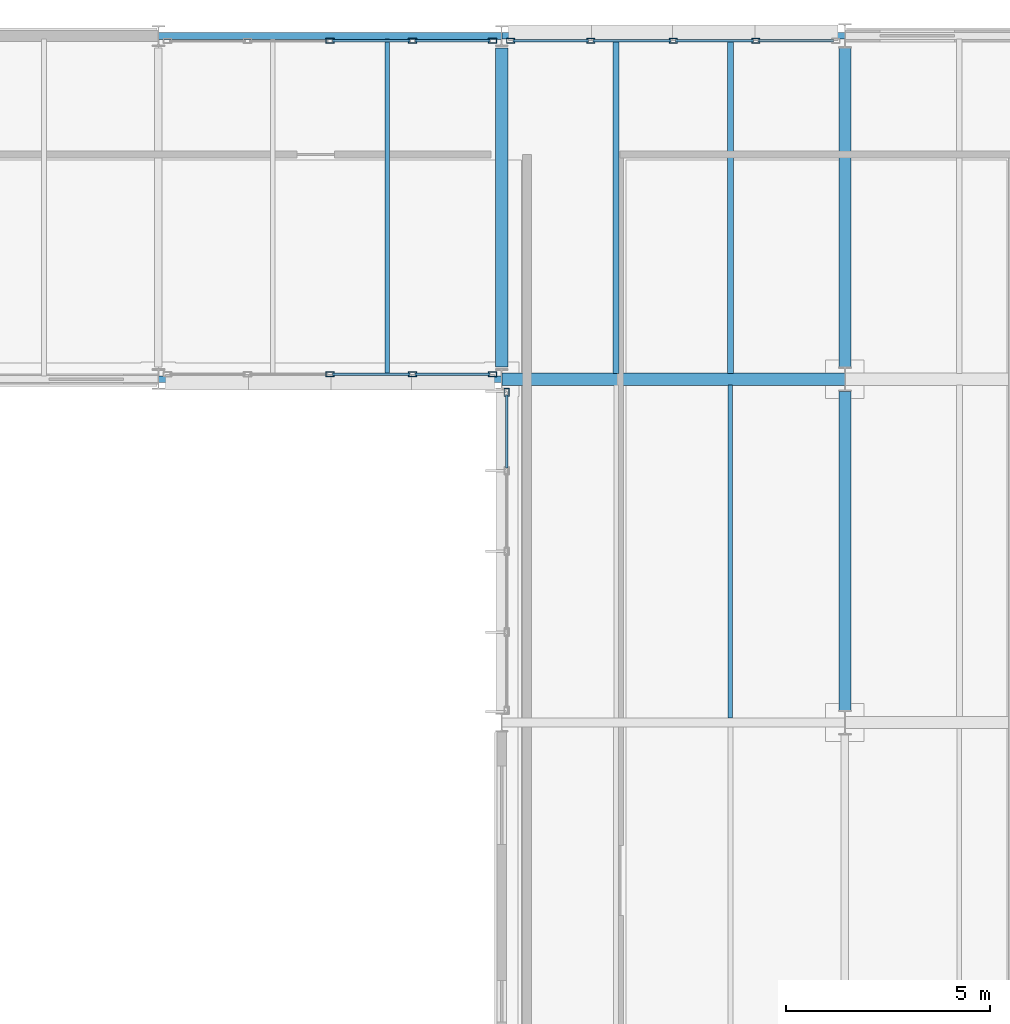
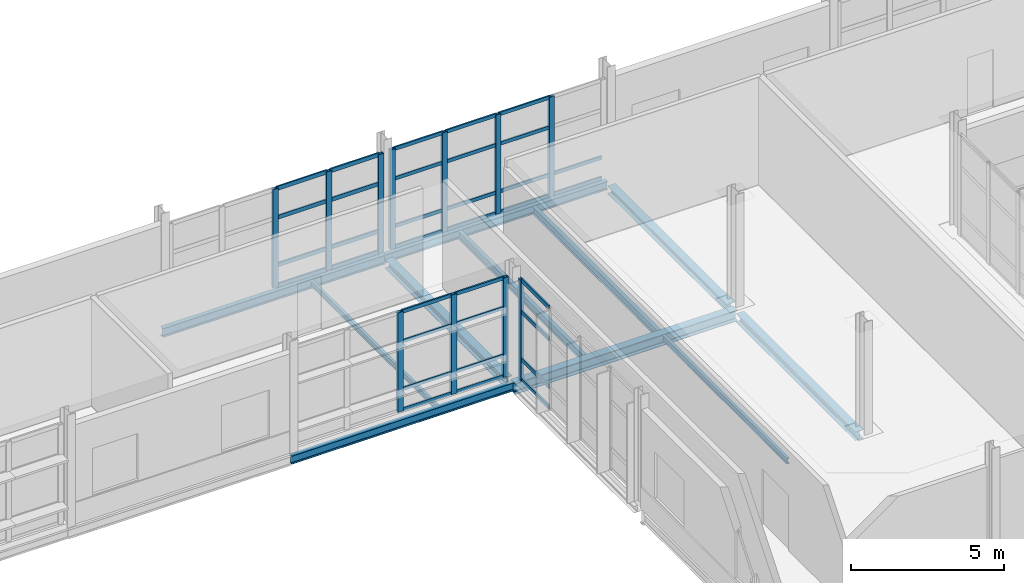
# One storey, part 56 of 129: 45 members, 11 beams, 4 elements without a shape of their own.
"""IFC4 building model written with IfcOpenShell, lengths in metres."""

from ifc_helpers import new_model, si_unit, direction, frame, origin, origin_2d, place, context, subcontext, project, spatial, hollow_rectangle, i_section, extrude, material, material_profile, profile_set, type_object, element, aggregate, save


model = new_model("IFC4")

# Units and contexts
model_context = context("Model", 3, precision=1e-05, world=origin(), true_north=direction((0.0, 1.0)))
body_context = subcontext(model_context, "Body", "Model", "MODEL_VIEW")
ifc_project = project(units=[si_unit("LENGTHUNIT", "METRE"), si_unit("AREAUNIT", "SQUARE_METRE"), si_unit("VOLUMEUNIT", "CUBIC_METRE"), si_unit("PLANEANGLEUNIT", "RADIAN"), si_unit("MASSUNIT", "GRAM", prefix="KILO")], contexts=[model_context])

# Site, building, storey
site_placement = place(None, origin())
site = spatial("IfcSite", under=ifc_project, at=site_placement, CompositionType="ELEMENT")
building_placement = place(site_placement, origin())
building = spatial("IfcBuilding", under=site, at=building_placement, Name="Mersafa Astral City Hall", CompositionType="ELEMENT")
storey_placement = place(building_placement, frame((0.0, 0.0, 5.39990234375)))
storey = spatial("IfcBuildingStorey", under=building, at=storey_placement, Name="L01", CompositionType="ELEMENT", Elevation=5.39990234375)

# Curtain wall, members
ifc_material_1 = material(Name="Anodised bronze aluminium framing", Category="aluminium")
curtain_wall_type_1 = type_object("IfcCurtainWallType", Name="ENV-CW-6", PredefinedType="USERDEFINED", material=ifc_material_1)
curtain_wall_1_placement = place(storey_placement, origin())
curtain_wall_1 = element("IfcCurtainWall", 1, at=curtain_wall_1_placement, inside=storey, type_object=curtain_wall_type_1, Name="L01 Unitised solar curtain wall 77", ObjectType="UNITISED CURTAIN WALL", PredefinedType="USERDEFINED")
ifc_material_profile_1 = material_profile(ifc_material_1, hollow_rectangle(XDim=0.1201171875, YDim=0.199951171875, WallThickness=0.008056640625, at=origin_2d()), Name="RHS 120x200x8")
ifc_profile_set_1 = profile_set([ifc_material_profile_1], Name="Anodised bronze aluminium framing")
member_type_1 = type_object("IfcMemberType", Name="ENV-CW-MUL-2", PredefinedType="MULLION", material=ifc_profile_set_1)
member_1_placement = place(storey_placement, frame((107.01904296875, 125.8798828125, -0.001953125), z_axis=(0.0, 0.0, 1.0), x_axis=(0.0, -1.0, 0.0)))
member_1 = element("IfcMember", 2, at=member_1_placement, type_object=member_type_1, Name="CW-6 mullion 2", PredefinedType="MULLION", context=body_context, shape_type="SweptSolid", body=[
    extrude(hollow_rectangle(XDim=0.1201171875, YDim=0.199951171875, WallThickness=0.008056640625, at=origin_2d()), origin(), (0.0, 0.0, 1.0), 3.968994140625),
])
member_2_placement = place(storey_placement, frame((105.0, 125.8798828125, -0.001953125), z_axis=(0.0, 0.0, 1.0), x_axis=(0.0, -1.0, 0.0)))
member_2 = element("IfcMember", 3, at=member_2_placement, type_object=member_type_1, Name="CW-6 mullion 3", PredefinedType="MULLION", context=body_context, shape_type="SweptSolid", body=[
    extrude(hollow_rectangle(XDim=0.1201171875, YDim=0.199951171875, WallThickness=0.008056640625, at=origin_2d()), origin(), (0.0, 0.0, 1.0), 3.968994140625),
])
member_3_placement = place(storey_placement, frame((102.98095703125, 125.8798828125, -0.001953125), z_axis=(0.0, 0.0, 1.0), x_axis=(0.0, -1.0, 0.0)))
member_3 = element("IfcMember", 4, at=member_3_placement, type_object=member_type_1, Name="CW-6 mullion 4", PredefinedType="MULLION", context=body_context, shape_type="SweptSolid", body=[
    extrude(hollow_rectangle(XDim=0.1201171875, YDim=0.199951171875, WallThickness=0.008056640625, at=origin_2d()), origin(), (0.0, 0.0, 1.0), 3.968994140625),
])
member_4_placement = place(storey_placement, frame((101.02197265625, 125.8798828125, -0.001953125), z_axis=(0.0, 0.0, 1.0), x_axis=(0.0, -1.0, 0.0)))
member_4 = element("IfcMember", 5, at=member_4_placement, type_object=member_type_1, Name="CW-6 mullion 5", PredefinedType="MULLION", context=body_context, shape_type="SweptSolid", body=[
    extrude(hollow_rectangle(XDim=0.1201171875, YDim=0.199951171875, WallThickness=0.008056640625, at=origin_2d()), origin(), (0.0, 0.0, 1.0), 3.968994140625),
])

curtain_wall_type_2 = type_object("IfcCurtainWallType", Name="ENV-CW-1", PredefinedType="USERDEFINED", material=ifc_material_1)
curtain_wall_2_placement = place(storey_placement, origin())
curtain_wall_2 = element("IfcCurtainWall", 6, at=curtain_wall_2_placement, inside=storey, type_object=curtain_wall_type_2, Name="L01 Unitised solar curtain wall 78", ObjectType="UNITISED CURTAIN WALL", PredefinedType="USERDEFINED")
member_5_placement = place(storey_placement, frame((100.577880859375, 125.8798828125, -0.001953125), z_axis=(0.0, 0.0, 1.0), x_axis=(0.0, -1.0, 0.0)))
member_5 = element("IfcMember", 7, at=member_5_placement, type_object=member_type_1, Name="CW-1 mullion 1", PredefinedType="MULLION", context=body_context, shape_type="SweptSolid", body=[
    extrude(hollow_rectangle(XDim=0.1201171875, YDim=0.199951171875, WallThickness=0.008056640625, at=origin_2d()), origin(), (0.0, 0.0, 1.0), 3.93896484375),
])
member_6_placement = place(storey_placement, frame((98.618896484375, 125.8798828125, -0.001953125), z_axis=(0.0, 0.0, 1.0), x_axis=(0.0, -1.0, 0.0)))
member_6 = element("IfcMember", 8, at=member_6_placement, type_object=member_type_1, Name="CW-1 mullion 2", PredefinedType="MULLION", context=body_context, shape_type="SweptSolid", body=[
    extrude(hollow_rectangle(XDim=0.1201171875, YDim=0.199951171875, WallThickness=0.008056640625, at=origin_2d()), origin(), (0.0, 0.0, 1.0), 3.93896484375),
])
member_7_placement = place(storey_placement, frame((96.60009765625, 125.8798828125, -0.001953125), z_axis=(0.0, 0.0, 1.0), x_axis=(0.0, -1.0, 0.0)))
member_7 = element("IfcMember", 9, at=member_7_placement, type_object=member_type_1, Name="CW-1 mullion 3", PredefinedType="MULLION", context=body_context, shape_type="SweptSolid", body=[
    extrude(hollow_rectangle(XDim=0.1201171875, YDim=0.199951171875, WallThickness=0.008056640625, at=origin_2d()), origin(), (0.0, 0.0, 1.0), 3.93896484375),
])

curtain_wall_3_placement = place(storey_placement, origin())
curtain_wall_3 = element("IfcCurtainWall", 10, at=curtain_wall_3_placement, inside=storey, type_object=curtain_wall_type_1, Name="L01 Unitised solar curtain wall 89", ObjectType="UNITISED CURTAIN WALL", PredefinedType="USERDEFINED")
member_8_placement = place(storey_placement, frame((96.60009765625, 117.719970703125, -0.001953125), z_axis=(0.0, 0.0, 1.0), x_axis=(0.0, 1.0, 0.0)))
member_8 = element("IfcMember", 11, at=member_8_placement, type_object=member_type_1, Name="CW-6 mullion 3", PredefinedType="MULLION", context=body_context, shape_type="SweptSolid", body=[
    extrude(hollow_rectangle(XDim=0.1201171875, YDim=0.199951171875, WallThickness=0.008056640625, at=origin_2d()), origin(), (0.0, 0.0, 1.0), 3.968994140625),
])
member_9_placement = place(storey_placement, frame((98.618896484375, 117.719970703125, -0.001953125), z_axis=(0.0, 0.0, 1.0), x_axis=(0.0, 1.0, 0.0)))
member_9 = element("IfcMember", 12, at=member_9_placement, type_object=member_type_1, Name="CW-6 mullion 4", PredefinedType="MULLION", context=body_context, shape_type="SweptSolid", body=[
    extrude(hollow_rectangle(XDim=0.1201171875, YDim=0.199951171875, WallThickness=0.008056640625, at=origin_2d()), origin(), (0.0, 0.0, 1.0), 3.968994140625),
])
member_10_placement = place(storey_placement, frame((100.577880859375, 117.719970703125, -0.001953125), z_axis=(0.0, 0.0, 1.0), x_axis=(0.0, 1.0, 0.0)))
member_10 = element("IfcMember", 13, at=member_10_placement, type_object=member_type_1, Name="CW-6 mullion 5", PredefinedType="MULLION", context=body_context, shape_type="SweptSolid", body=[
    extrude(hollow_rectangle(XDim=0.1201171875, YDim=0.199951171875, WallThickness=0.008056640625, at=origin_2d()), origin(), (0.0, 0.0, 1.0), 3.968994140625),
])

# Curtain wall, member
curtain_wall_4_placement = place(storey_placement, origin())
curtain_wall_4 = element("IfcCurtainWall", 14, at=curtain_wall_4_placement, inside=storey, type_object=curtain_wall_type_2, Name="L01 Unitised solar curtain wall 90", ObjectType="UNITISED CURTAIN WALL", PredefinedType="USERDEFINED")
member_11_placement = place(storey_placement, frame((100.919921875, 117.278076171875, -0.001953125), z_axis=(0.0, 0.0, 1.0), x_axis=(1.0, 0.0, 0.0)))
member_11 = element("IfcMember", 15, at=member_11_placement, type_object=member_type_1, Name="CW-1 mullion 1", PredefinedType="MULLION", context=body_context, shape_type="SweptSolid", body=[
    extrude(hollow_rectangle(XDim=0.1201171875, YDim=0.199951171875, WallThickness=0.008056640625, at=origin_2d()), origin(), (0.0, 0.0, 1.0), 4.029052734375),
])

# Member
ifc_material_profile_2 = material_profile(ifc_material_1, hollow_rectangle(XDim=0.06005859375, YDim=0.139892578125, WallThickness=0.00390625, at=origin_2d()), Name="RHS 60x140x4")
ifc_profile_set_2 = profile_set([ifc_material_profile_2], Name="Anodised bronze aluminium framing")
member_type_2 = type_object("IfcMemberType", Name="ENV-CW-TRN-1", PredefinedType="USERDEFINED", material=ifc_profile_set_2)
member_12_placement = place(storey_placement, frame((108.91796875, 125.8798828125, 0.028076171875), z_axis=(-1.0, 0.0, 0.0), x_axis=(0.0, -1.0, 0.0)))
member_12 = element("IfcMember", 16, at=member_12_placement, type_object=member_type_2, Name="CW-6 transom 1.1", ObjectType="TRANSOM", PredefinedType="USERDEFINED", context=body_context, shape_type="SweptSolid", body=[
    extrude(hollow_rectangle(XDim=0.06005859375, YDim=0.139892578125, WallThickness=0.00390625, at=origin_2d()), origin(), (0.0, 0.0, 1.0), 1.8388671875),
])

member_13_placement = place(storey_placement, frame((108.91796875, 125.8798828125, 0.85009765625), z_axis=(-1.0, 0.0, 0.0), x_axis=(0.0, -1.0, 0.0)))
member_13 = element("IfcMember", 17, at=member_13_placement, type_object=member_type_2, Name="CW-6 transom 1.2", ObjectType="TRANSOM", PredefinedType="USERDEFINED", context=body_context, shape_type="SweptSolid", body=[
    extrude(hollow_rectangle(XDim=0.06005859375, YDim=0.139892578125, WallThickness=0.00390625, at=origin_2d()), origin(), (0.0, 0.0, 1.0), 1.8388671875),
])

member_14_placement = place(storey_placement, frame((106.958984375, 125.8798828125, 0.028076171875), z_axis=(-1.0, 0.0, 0.0), x_axis=(0.0, -1.0, 0.0)))
member_14 = element("IfcMember", 18, at=member_14_placement, type_object=member_type_2, Name="CW-6 transom 2.1", ObjectType="TRANSOM", PredefinedType="USERDEFINED", context=body_context, shape_type="SweptSolid", body=[
    extrude(hollow_rectangle(XDim=0.06005859375, YDim=0.139892578125, WallThickness=0.00390625, at=origin_2d()), origin(), (0.0, 0.0, 1.0), 1.89892578125),
])

member_15_placement = place(storey_placement, frame((106.958984375, 125.8798828125, 0.85009765625), z_axis=(-1.0, 0.0, 0.0), x_axis=(0.0, -1.0, 0.0)))
member_15 = element("IfcMember", 19, at=member_15_placement, type_object=member_type_2, Name="CW-6 transom 2.2", ObjectType="TRANSOM", PredefinedType="USERDEFINED", context=body_context, shape_type="SweptSolid", body=[
    extrude(hollow_rectangle(XDim=0.06005859375, YDim=0.139892578125, WallThickness=0.00390625, at=origin_2d()), origin(), (0.0, 0.0, 1.0), 1.89892578125),
])

member_16_placement = place(storey_placement, frame((106.958984375, 125.8798828125, 2.75), z_axis=(-1.0, 0.0, 0.0), x_axis=(0.0, -1.0, 0.0)))
member_16 = element("IfcMember", 20, at=member_16_placement, type_object=member_type_2, Name="CW-6 transom 2.3", ObjectType="TRANSOM", PredefinedType="USERDEFINED", context=body_context, shape_type="SweptSolid", body=[
    extrude(hollow_rectangle(XDim=0.06005859375, YDim=0.139892578125, WallThickness=0.00390625, at=origin_2d()), origin(), (0.0, 0.0, 1.0), 1.89892578125),
])

member_17_placement = place(storey_placement, frame((106.958984375, 125.8798828125, 3.93701171875), z_axis=(-1.0, 0.0, 0.0), x_axis=(0.0, -1.0, 0.0)))
member_17 = element("IfcMember", 21, at=member_17_placement, type_object=member_type_2, Name="CW-6 transom 2.4", ObjectType="TRANSOM", PredefinedType="USERDEFINED", context=body_context, shape_type="SweptSolid", body=[
    extrude(hollow_rectangle(XDim=0.06005859375, YDim=0.139892578125, WallThickness=0.00390625, at=origin_2d()), origin(), (0.0, 0.0, 1.0), 1.89892578125),
])

member_18_placement = place(storey_placement, frame((104.93994140625, 125.8798828125, 0.028076171875), z_axis=(-1.0, 0.0, 0.0), x_axis=(0.0, -1.0, 0.0)))
member_18 = element("IfcMember", 22, at=member_18_placement, type_object=member_type_2, Name="CW-6 transom 3.1", ObjectType="TRANSOM", PredefinedType="USERDEFINED", context=body_context, shape_type="SweptSolid", body=[
    extrude(hollow_rectangle(XDim=0.06005859375, YDim=0.139892578125, WallThickness=0.00390625, at=origin_2d()), origin(), (0.0, 0.0, 1.0), 1.89892578125),
])

member_19_placement = place(storey_placement, frame((104.93994140625, 125.8798828125, 0.85009765625), z_axis=(-1.0, 0.0, 0.0), x_axis=(0.0, -1.0, 0.0)))
member_19 = element("IfcMember", 23, at=member_19_placement, type_object=member_type_2, Name="CW-6 transom 3.2", ObjectType="TRANSOM", PredefinedType="USERDEFINED", context=body_context, shape_type="SweptSolid", body=[
    extrude(hollow_rectangle(XDim=0.06005859375, YDim=0.139892578125, WallThickness=0.00390625, at=origin_2d()), origin(), (0.0, 0.0, 1.0), 1.89892578125),
])

member_20_placement = place(storey_placement, frame((104.93994140625, 125.8798828125, 2.75), z_axis=(-1.0, 0.0, 0.0), x_axis=(0.0, -1.0, 0.0)))
member_20 = element("IfcMember", 24, at=member_20_placement, type_object=member_type_2, Name="CW-6 transom 3.3", ObjectType="TRANSOM", PredefinedType="USERDEFINED", context=body_context, shape_type="SweptSolid", body=[
    extrude(hollow_rectangle(XDim=0.06005859375, YDim=0.139892578125, WallThickness=0.00390625, at=origin_2d()), origin(), (0.0, 0.0, 1.0), 1.89892578125),
])

member_21_placement = place(storey_placement, frame((104.93994140625, 125.8798828125, 3.93701171875), z_axis=(-1.0, 0.0, 0.0), x_axis=(0.0, -1.0, 0.0)))
member_21 = element("IfcMember", 25, at=member_21_placement, type_object=member_type_2, Name="CW-6 transom 3.4", ObjectType="TRANSOM", PredefinedType="USERDEFINED", context=body_context, shape_type="SweptSolid", body=[
    extrude(hollow_rectangle(XDim=0.06005859375, YDim=0.139892578125, WallThickness=0.00390625, at=origin_2d()), origin(), (0.0, 0.0, 1.0), 1.89892578125),
])

member_22_placement = place(storey_placement, frame((102.9208984375, 125.8798828125, 0.028076171875), z_axis=(-1.0, 0.0, 0.0), x_axis=(0.0, -1.0, 0.0)))
member_22 = element("IfcMember", 26, at=member_22_placement, type_object=member_type_2, Name="CW-6 transom 4.1", ObjectType="TRANSOM", PredefinedType="USERDEFINED", context=body_context, shape_type="SweptSolid", body=[
    extrude(hollow_rectangle(XDim=0.06005859375, YDim=0.139892578125, WallThickness=0.00390625, at=origin_2d()), origin(), (0.0, 0.0, 1.0), 1.8388671875),
])

member_23_placement = place(storey_placement, frame((102.9208984375, 125.8798828125, 0.85009765625), z_axis=(-1.0, 0.0, 0.0), x_axis=(0.0, -1.0, 0.0)))
member_23 = element("IfcMember", 27, at=member_23_placement, type_object=member_type_2, Name="CW-6 transom 4.2", ObjectType="TRANSOM", PredefinedType="USERDEFINED", context=body_context, shape_type="SweptSolid", body=[
    extrude(hollow_rectangle(XDim=0.06005859375, YDim=0.139892578125, WallThickness=0.00390625, at=origin_2d()), origin(), (0.0, 0.0, 1.0), 1.8388671875),
])

member_24_placement = place(storey_placement, frame((102.9208984375, 125.8798828125, 2.75), z_axis=(-1.0, 0.0, 0.0), x_axis=(0.0, -1.0, 0.0)))
member_24 = element("IfcMember", 28, at=member_24_placement, type_object=member_type_2, Name="CW-6 transom 4.3", ObjectType="TRANSOM", PredefinedType="USERDEFINED", context=body_context, shape_type="SweptSolid", body=[
    extrude(hollow_rectangle(XDim=0.06005859375, YDim=0.139892578125, WallThickness=0.00390625, at=origin_2d()), origin(), (0.0, 0.0, 1.0), 1.8388671875),
])

member_25_placement = place(storey_placement, frame((102.9208984375, 125.8798828125, 3.93701171875), z_axis=(-1.0, 0.0, 0.0), x_axis=(0.0, -1.0, 0.0)))
member_25 = element("IfcMember", 29, at=member_25_placement, type_object=member_type_2, Name="CW-6 transom 4.4", ObjectType="TRANSOM", PredefinedType="USERDEFINED", context=body_context, shape_type="SweptSolid", body=[
    extrude(hollow_rectangle(XDim=0.06005859375, YDim=0.139892578125, WallThickness=0.00390625, at=origin_2d()), origin(), (0.0, 0.0, 1.0), 1.8388671875),
])

aggregate(curtain_wall_1, [member_1, member_2, member_3, member_4, member_12, member_13, member_14, member_15, member_16, member_17, member_18, member_19, member_20, member_21, member_22, member_23, member_24, member_25])

member_26_placement = place(storey_placement, frame((96.659912109375, 117.719970703125, 0.028076171875), z_axis=(1.0, 0.0, 0.0), x_axis=(0.0, 1.0, 0.0)))
member_26 = element("IfcMember", 30, at=member_26_placement, type_object=member_type_2, Name="CW-6 transom 3.1", ObjectType="TRANSOM", PredefinedType="USERDEFINED", context=body_context, shape_type="SweptSolid", body=[
    extrude(hollow_rectangle(XDim=0.06005859375, YDim=0.139892578125, WallThickness=0.00390625, at=origin_2d()), origin(), (0.0, 0.0, 1.0), 1.899169921875),
])

member_27_placement = place(storey_placement, frame((96.659912109375, 117.719970703125, 0.85009765625), z_axis=(1.0, 0.0, 0.0), x_axis=(0.0, 1.0, 0.0)))
member_27 = element("IfcMember", 31, at=member_27_placement, type_object=member_type_2, Name="CW-6 transom 3.2", ObjectType="TRANSOM", PredefinedType="USERDEFINED", context=body_context, shape_type="SweptSolid", body=[
    extrude(hollow_rectangle(XDim=0.06005859375, YDim=0.139892578125, WallThickness=0.00390625, at=origin_2d()), origin(), (0.0, 0.0, 1.0), 1.899169921875),
])

member_28_placement = place(storey_placement, frame((96.659912109375, 117.719970703125, 2.75), z_axis=(1.0, 0.0, 0.0), x_axis=(0.0, 1.0, 0.0)))
member_28 = element("IfcMember", 32, at=member_28_placement, type_object=member_type_2, Name="CW-6 transom 3.3", ObjectType="TRANSOM", PredefinedType="USERDEFINED", context=body_context, shape_type="SweptSolid", body=[
    extrude(hollow_rectangle(XDim=0.06005859375, YDim=0.139892578125, WallThickness=0.00390625, at=origin_2d()), origin(), (0.0, 0.0, 1.0), 1.899169921875),
])

member_29_placement = place(storey_placement, frame((96.659912109375, 117.719970703125, 3.93701171875), z_axis=(1.0, 0.0, 0.0), x_axis=(0.0, 1.0, 0.0)))
member_29 = element("IfcMember", 33, at=member_29_placement, type_object=member_type_2, Name="CW-6 transom 3.4", ObjectType="TRANSOM", PredefinedType="USERDEFINED", context=body_context, shape_type="SweptSolid", body=[
    extrude(hollow_rectangle(XDim=0.06005859375, YDim=0.139892578125, WallThickness=0.00390625, at=origin_2d()), origin(), (0.0, 0.0, 1.0), 1.899169921875),
])

member_30_placement = place(storey_placement, frame((98.678955078125, 117.719970703125, 0.028076171875), z_axis=(1.0, 0.0, 0.0), x_axis=(0.0, 1.0, 0.0)))
member_30 = element("IfcMember", 34, at=member_30_placement, type_object=member_type_2, Name="CW-6 transom 4.1", ObjectType="TRANSOM", PredefinedType="USERDEFINED", context=body_context, shape_type="SweptSolid", body=[
    extrude(hollow_rectangle(XDim=0.06005859375, YDim=0.139892578125, WallThickness=0.00390625, at=origin_2d()), origin(), (0.0, 0.0, 1.0), 1.839111328125),
])

member_31_placement = place(storey_placement, frame((98.678955078125, 117.719970703125, 0.85009765625), z_axis=(1.0, 0.0, 0.0), x_axis=(0.0, 1.0, 0.0)))
member_31 = element("IfcMember", 35, at=member_31_placement, type_object=member_type_2, Name="CW-6 transom 4.2", ObjectType="TRANSOM", PredefinedType="USERDEFINED", context=body_context, shape_type="SweptSolid", body=[
    extrude(hollow_rectangle(XDim=0.06005859375, YDim=0.139892578125, WallThickness=0.00390625, at=origin_2d()), origin(), (0.0, 0.0, 1.0), 1.839111328125),
])

member_32_placement = place(storey_placement, frame((98.678955078125, 117.719970703125, 2.75), z_axis=(1.0, 0.0, 0.0), x_axis=(0.0, 1.0, 0.0)))
member_32 = element("IfcMember", 36, at=member_32_placement, type_object=member_type_2, Name="CW-6 transom 4.3", ObjectType="TRANSOM", PredefinedType="USERDEFINED", context=body_context, shape_type="SweptSolid", body=[
    extrude(hollow_rectangle(XDim=0.06005859375, YDim=0.139892578125, WallThickness=0.00390625, at=origin_2d()), origin(), (0.0, 0.0, 1.0), 1.839111328125),
])

member_33_placement = place(storey_placement, frame((98.678955078125, 117.719970703125, 3.93701171875), z_axis=(1.0, 0.0, 0.0), x_axis=(0.0, 1.0, 0.0)))
member_33 = element("IfcMember", 37, at=member_33_placement, type_object=member_type_2, Name="CW-6 transom 4.4", ObjectType="TRANSOM", PredefinedType="USERDEFINED", context=body_context, shape_type="SweptSolid", body=[
    extrude(hollow_rectangle(XDim=0.06005859375, YDim=0.139892578125, WallThickness=0.00390625, at=origin_2d()), origin(), (0.0, 0.0, 1.0), 1.839111328125),
])

aggregate(curtain_wall_3, [member_8, member_9, member_10, member_26, member_27, member_28, member_29, member_30, member_31, member_32, member_33])

ifc_material_profile_3 = material_profile(ifc_material_1, hollow_rectangle(XDim=0.06005859375, YDim=0.159912109375, WallThickness=0.00390625, at=origin_2d()), Name="RHS 60x160x4")
ifc_profile_set_3 = profile_set([ifc_material_profile_3], Name="Anodised bronze aluminium framing")
member_type_3 = type_object("IfcMemberType", Name="ENV-CW-TRN-2", PredefinedType="USERDEFINED", material=ifc_profile_set_3)
member_34_placement = place(storey_placement, frame((100.51806640625, 125.8798828125, 0.028076171875), z_axis=(-1.0, 0.0, 0.0), x_axis=(0.0, -1.0, 0.0)))
member_34 = element("IfcMember", 38, at=member_34_placement, type_object=member_type_3, Name="CW-1 transom 1.1", ObjectType="TRANSOM", PredefinedType="USERDEFINED", context=body_context, shape_type="SweptSolid", body=[
    extrude(hollow_rectangle(XDim=0.06005859375, YDim=0.159912109375, WallThickness=0.00390625, at=origin_2d()), origin(), (0.0, 0.0, 1.0), 1.839111328125),
])

member_35_placement = place(storey_placement, frame((100.51806640625, 125.8798828125, 0.85009765625), z_axis=(-1.0, 0.0, 0.0), x_axis=(0.0, -1.0, 0.0)))
member_35 = element("IfcMember", 39, at=member_35_placement, type_object=member_type_3, Name="CW-1 transom 1.2", ObjectType="TRANSOM", PredefinedType="USERDEFINED", context=body_context, shape_type="SweptSolid", body=[
    extrude(hollow_rectangle(XDim=0.06005859375, YDim=0.159912109375, WallThickness=0.00390625, at=origin_2d()), origin(), (0.0, 0.0, 1.0), 1.839111328125),
])

member_36_placement = place(storey_placement, frame((100.51806640625, 125.8798828125, 2.75), z_axis=(-1.0, 0.0, 0.0), x_axis=(0.0, -1.0, 0.0)))
member_36 = element("IfcMember", 40, at=member_36_placement, type_object=member_type_3, Name="CW-1 transom 1.3", ObjectType="TRANSOM", PredefinedType="USERDEFINED", context=body_context, shape_type="SweptSolid", body=[
    extrude(hollow_rectangle(XDim=0.06005859375, YDim=0.159912109375, WallThickness=0.00390625, at=origin_2d()), origin(), (0.0, 0.0, 1.0), 1.839111328125),
])

member_37_placement = place(storey_placement, frame((100.51806640625, 125.8798828125, 3.906982421875), z_axis=(-1.0, 0.0, 0.0), x_axis=(0.0, -1.0, 0.0)))
member_37 = element("IfcMember", 41, at=member_37_placement, type_object=member_type_3, Name="CW-1 transom 1.4", ObjectType="TRANSOM", PredefinedType="USERDEFINED", context=body_context, shape_type="SweptSolid", body=[
    extrude(hollow_rectangle(XDim=0.06005859375, YDim=0.159912109375, WallThickness=0.00390625, at=origin_2d()), origin(), (0.0, 0.0, 1.0), 1.839111328125),
])

member_38_placement = place(storey_placement, frame((98.55908203125, 125.8798828125, 0.028076171875), z_axis=(-1.0, 0.0, 0.0), x_axis=(0.0, -1.0, 0.0)))
member_38 = element("IfcMember", 42, at=member_38_placement, type_object=member_type_3, Name="CW-1 transom 2.1", ObjectType="TRANSOM", PredefinedType="USERDEFINED", context=body_context, shape_type="SweptSolid", body=[
    extrude(hollow_rectangle(XDim=0.06005859375, YDim=0.159912109375, WallThickness=0.00390625, at=origin_2d()), origin(), (0.0, 0.0, 1.0), 1.899169921875),
])

member_39_placement = place(storey_placement, frame((98.55908203125, 125.8798828125, 0.85009765625), z_axis=(-1.0, 0.0, 0.0), x_axis=(0.0, -1.0, 0.0)))
member_39 = element("IfcMember", 43, at=member_39_placement, type_object=member_type_3, Name="CW-1 transom 2.2", ObjectType="TRANSOM", PredefinedType="USERDEFINED", context=body_context, shape_type="SweptSolid", body=[
    extrude(hollow_rectangle(XDim=0.06005859375, YDim=0.159912109375, WallThickness=0.00390625, at=origin_2d()), origin(), (0.0, 0.0, 1.0), 1.899169921875),
])

member_40_placement = place(storey_placement, frame((98.55908203125, 125.8798828125, 2.75), z_axis=(-1.0, 0.0, 0.0), x_axis=(0.0, -1.0, 0.0)))
member_40 = element("IfcMember", 44, at=member_40_placement, type_object=member_type_3, Name="CW-1 transom 2.3", ObjectType="TRANSOM", PredefinedType="USERDEFINED", context=body_context, shape_type="SweptSolid", body=[
    extrude(hollow_rectangle(XDim=0.06005859375, YDim=0.159912109375, WallThickness=0.00390625, at=origin_2d()), origin(), (0.0, 0.0, 1.0), 1.899169921875),
])

member_41_placement = place(storey_placement, frame((98.55908203125, 125.8798828125, 3.906982421875), z_axis=(-1.0, 0.0, 0.0), x_axis=(0.0, -1.0, 0.0)))
member_41 = element("IfcMember", 45, at=member_41_placement, type_object=member_type_3, Name="CW-1 transom 2.4", ObjectType="TRANSOM", PredefinedType="USERDEFINED", context=body_context, shape_type="SweptSolid", body=[
    extrude(hollow_rectangle(XDim=0.06005859375, YDim=0.159912109375, WallThickness=0.00390625, at=origin_2d()), origin(), (0.0, 0.0, 1.0), 1.899169921875),
])

aggregate(curtain_wall_2, [member_5, member_6, member_7, member_34, member_35, member_36, member_37, member_38, member_39, member_40, member_41])

member_42_placement = place(storey_placement, frame((100.919921875, 117.218017578125, 0.028076171875), z_axis=(0.0, -1.0, 0.0), x_axis=(1.0, 0.0, 0.0)))
member_42 = element("IfcMember", 46, at=member_42_placement, type_object=member_type_3, Name="CW-1 transom 1.1", ObjectType="TRANSOM", PredefinedType="USERDEFINED", context=body_context, shape_type="SweptSolid", body=[
    extrude(hollow_rectangle(XDim=0.06005859375, YDim=0.159912109375, WallThickness=0.00390625, at=origin_2d()), origin(), (0.0, 0.0, 1.0), 1.795166015625),
])

member_43_placement = place(storey_placement, frame((100.919921875, 117.218017578125, 0.85009765625), z_axis=(0.0, -1.0, 0.0), x_axis=(1.0, 0.0, 0.0)))
member_43 = element("IfcMember", 47, at=member_43_placement, type_object=member_type_3, Name="CW-1 transom 1.2", ObjectType="TRANSOM", PredefinedType="USERDEFINED", context=body_context, shape_type="SweptSolid", body=[
    extrude(hollow_rectangle(XDim=0.06005859375, YDim=0.159912109375, WallThickness=0.00390625, at=origin_2d()), origin(), (0.0, 0.0, 1.0), 1.795166015625),
])

member_44_placement = place(storey_placement, frame((100.919921875, 117.218017578125, 2.75), z_axis=(0.0, -1.0, 0.0), x_axis=(1.0, 0.0, 0.0)))
member_44 = element("IfcMember", 48, at=member_44_placement, type_object=member_type_3, Name="CW-1 transom 1.3", ObjectType="TRANSOM", PredefinedType="USERDEFINED", context=body_context, shape_type="SweptSolid", body=[
    extrude(hollow_rectangle(XDim=0.06005859375, YDim=0.159912109375, WallThickness=0.00390625, at=origin_2d()), origin(), (0.0, 0.0, 1.0), 1.795166015625),
])

member_45_placement = place(storey_placement, frame((100.919921875, 117.218017578125, 3.9970703125), z_axis=(0.0, -1.0, 0.0), x_axis=(1.0, 0.0, 0.0)))
member_45 = element("IfcMember", 49, at=member_45_placement, type_object=member_type_3, Name="CW-1 transom 1.4", ObjectType="TRANSOM", PredefinedType="USERDEFINED", context=body_context, shape_type="SweptSolid", body=[
    extrude(hollow_rectangle(XDim=0.06005859375, YDim=0.159912109375, WallThickness=0.00390625, at=origin_2d()), origin(), (0.0, 0.0, 1.0), 1.795166015625),
])

aggregate(curtain_wall_4, [member_11, member_42, member_43, member_44, member_45])

# Beams
ifc_material_2 = material(Name="Steel S355", Category="steel")
ifc_material_profile_4 = material_profile(ifc_material_2, i_section(OverallWidth=0.300048828125, OverallDepth=0.31005859375, WebThickness=0.009033203125, FlangeThickness=0.015380859375, FilletRadius=0.027099609375, at=origin_2d()), Name="HEA 320")
ifc_profile_set_4 = profile_set([ifc_material_profile_4], Name="Steel S355")
beam_type_1 = type_object("IfcBeamType", Name="STR-BM-HEA320", PredefinedType="BEAM", material=ifc_profile_set_4)
beam_1_placement = place(storey_placement, frame((109.199951171875, 117.89501953125, -0.3798828125), z_axis=(0.0, 1.0, 0.0), x_axis=(-1.0, 0.0, 0.0)))
element("IfcBeam", 50, at=beam_1_placement, inside=storey, type_object=beam_type_1, Name="L01 Primary girder Y 13-14", PredefinedType="BEAM", context=body_context, shape_type="SweptSolid", body=[
    extrude(i_section(OverallWidth=0.300048828125, OverallDepth=0.31005859375, WebThickness=0.009033203125, FlangeThickness=0.015380859375, FilletRadius=0.027099609375, at=origin_2d()), origin(), (0.0, 0.0, 1.0), 7.81005859375),
])
ifc_material_profile_5 = material_profile(ifc_material_2, i_section(OverallWidth=0.300048828125, OverallDepth=0.35009765625, WebThickness=0.010009765625, FlangeThickness=0.017578125, FilletRadius=0.027099609375, at=origin_2d()), Name="HEA 360")
ifc_profile_set_5 = profile_set([ifc_material_profile_5], Name="Steel S355")
beam_type_2 = type_object("IfcBeamType", Name="STR-BM-HEA360", PredefinedType="BEAM", material=ifc_profile_set_5)
beam_2_placement = place(storey_placement, frame((100.800048828125, 117.89501953125, -0.39990234375), z_axis=(0.0, 1.0, 0.0), x_axis=(-1.0, 0.0, 0.0)))
element("IfcBeam", 51, at=beam_2_placement, inside=storey, type_object=beam_type_2, Name="L01 Primary girder Y 12-14", PredefinedType="BEAM", context=body_context, shape_type="SweptSolid", body=[
    extrude(i_section(OverallWidth=0.300048828125, OverallDepth=0.35009765625, WebThickness=0.010009765625, FlangeThickness=0.017578125, FilletRadius=0.027099609375, at=origin_2d()), origin(), (0.0, 0.0, 1.0), 7.81005859375),
])
beam_3_placement = place(storey_placement, frame((109.199951171875, 109.4951171875, -0.39990234375), z_axis=(0.0, 1.0, 0.0), x_axis=(-1.0, 0.0, 0.0)))
element("IfcBeam", 52, at=beam_3_placement, inside=storey, type_object=beam_type_2, Name="L01 Primary girder Y 13-13", PredefinedType="BEAM", context=body_context, shape_type="SweptSolid", body=[
    extrude(i_section(OverallWidth=0.300048828125, OverallDepth=0.35009765625, WebThickness=0.010009765625, FlangeThickness=0.017578125, FilletRadius=0.027099609375, at=origin_2d()), origin(), (0.0, 0.0, 1.0), 7.809814453125),
])
ifc_material_profile_6 = material_profile(ifc_material_2, i_section(OverallWidth=0.300048828125, OverallDepth=0.43994140625, WebThickness=0.011474609375, FlangeThickness=0.02099609375, FilletRadius=0.027099609375, at=origin_2d()), Name="HEA 450")
ifc_profile_set_6 = profile_set([ifc_material_profile_6], Name="Steel S355")
beam_type_3 = type_object("IfcBeamType", Name="STR-BM-HEA450", PredefinedType="BEAM", material=ifc_profile_set_6)
beam_4_placement = place(storey_placement, frame((100.802978515625, 117.60009765625, -0.44482421875), z_axis=(1.0, 0.0, 0.0), x_axis=(0.0, 1.0, 0.0)))
element("IfcBeam", 53, at=beam_4_placement, inside=storey, type_object=beam_type_3, Name="L01 Primary girder X 12-14", PredefinedType="BEAM", context=body_context, shape_type="SweptSolid", body=[
    extrude(i_section(OverallWidth=0.300048828125, OverallDepth=0.43994140625, WebThickness=0.011474609375, FlangeThickness=0.02099609375, FilletRadius=0.027099609375, at=origin_2d()), origin(), (0.0, 0.0, 1.0), 8.39404296875),
])
ifc_material_profile_7 = material_profile(ifc_material_2, i_section(OverallWidth=0.110107421875, OverallDepth=0.219970703125, WebThickness=0.005859375, FlangeThickness=0.00927734375, FilletRadius=0.011962890625, at=origin_2d()), Name="IPE 220")
ifc_profile_set_7 = profile_set([ifc_material_profile_7], Name="Steel S355")
beam_type_4 = type_object("IfcBeamType", Name="STR-BM-JOIST-IPE220", PredefinedType="JOIST", material=ifc_profile_set_7)
beam_5_placement = place(storey_placement, frame((98.0, 117.675048828125, -0.3349609375), z_axis=(0.0, 1.0, 0.0), x_axis=(-1.0, 0.0, 0.0)))
element("IfcBeam", 54, at=beam_5_placement, inside=storey, type_object=beam_type_4, Name="L01 Composite secondary floor joist 285", PredefinedType="JOIST", context=body_context, shape_type="SweptSolid", body=[
    extrude(i_section(OverallWidth=0.110107421875, OverallDepth=0.219970703125, WebThickness=0.005859375, FlangeThickness=0.00927734375, FilletRadius=0.011962890625, at=origin_2d()), origin(), (0.0, 0.0, 1.0), 8.244873046875),
])
beam_6_placement = place(storey_placement, frame((106.39990234375, 109.304931640625, -0.3349609375), z_axis=(0.0, 1.0, 0.0), x_axis=(-1.0, 0.0, 0.0)))
element("IfcBeam", 55, at=beam_6_placement, inside=storey, type_object=beam_type_4, Name="L01 Composite secondary floor joist 303", PredefinedType="JOIST", context=body_context, shape_type="SweptSolid", body=[
    extrude(i_section(OverallWidth=0.110107421875, OverallDepth=0.219970703125, WebThickness=0.005859375, FlangeThickness=0.00927734375, FilletRadius=0.011962890625, at=origin_2d()), origin(), (0.0, 0.0, 1.0), 8.150146484375),
])
ifc_material_profile_8 = material_profile(ifc_material_2, i_section(OverallWidth=0.14990234375, OverallDepth=0.300048828125, WebThickness=0.007080078125, FlangeThickness=0.0107421875, FilletRadius=0.014892578125, at=origin_2d()), Name="IPE 300")
ifc_profile_set_8 = profile_set([ifc_material_profile_8], Name="Steel S355")
beam_type_5 = type_object("IfcBeamType", Name="STR-BM-JOIST-IPE300", PredefinedType="JOIST", material=ifc_profile_set_8)
for number, where, z_axis, x_axis, name in (
    (56, (103.60009765625, 117.7451171875, -0.375), (0.0, 1.0, 0.0), (-1.0, 0.0, 0.0), "L01 Composite secondary floor joist 304"),
    (57, (106.39990234375, 117.7451171875, -0.375), (0.0, 1.0, 0.0), (-1.0, 0.0, 0.0), "L01 Composite secondary floor joist 305"),
):
    element("IfcBeam", number, at=place(storey_placement, frame(where, z_axis=z_axis, x_axis=x_axis)), inside=storey, type_object=beam_type_5, Name=name, PredefinedType="JOIST", context=body_context, shape_type="SweptSolid", body=[
        extrude(i_section(OverallWidth=0.14990234375, OverallDepth=0.300048828125, WebThickness=0.007080078125, FlangeThickness=0.0107421875, FilletRadius=0.014892578125, at=origin_2d()), origin(), (0.0, 0.0, 1.0), 8.179931640625),
    ])
ifc_material_profile_9 = material_profile(ifc_material_2, i_section(OverallWidth=0.159912109375, OverallDepth=0.330078125, WebThickness=0.007568359375, FlangeThickness=0.011474609375, FilletRadius=0.01806640625, at=origin_2d()), Name="IPE 330")
ifc_profile_set_9 = profile_set([ifc_material_profile_9], Name="Steel S355")
beam_type_6 = type_object("IfcBeamType", Name="STR-BM-SPANDREL-IPE330", PredefinedType="SPANDREL", material=ifc_profile_set_9)
for number, where, z_axis, x_axis, name in (
    (58, (92.403076171875, 117.60009765625, -0.389892578125), (1.0, 0.0, 0.0), (0.0, 1.0, 0.0), "L01 Primary girder X 11-14"),
    (59, (100.802978515625, 126.0, -0.389892578125), (1.0, 0.0, 0.0), (0.0, 1.0, 0.0), "L01 Primary girder X 12-15"),
):
    element("IfcBeam", number, at=place(storey_placement, frame(where, z_axis=z_axis, x_axis=x_axis)), inside=storey, type_object=beam_type_6, Name=name, PredefinedType="SPANDREL", context=body_context, shape_type="SweptSolid", body=[
        extrude(i_section(OverallWidth=0.159912109375, OverallDepth=0.330078125, WebThickness=0.007568359375, FlangeThickness=0.011474609375, FilletRadius=0.01806640625, at=origin_2d()), origin(), (0.0, 0.0, 1.0), 8.39404296875),
    ])
ifc_material_profile_10 = material_profile(ifc_material_2, i_section(OverallWidth=0.169921875, OverallDepth=0.360107421875, WebThickness=0.008056640625, FlangeThickness=0.0126953125, FilletRadius=0.01806640625, at=origin_2d()), Name="IPE 360")
ifc_profile_set_10 = profile_set([ifc_material_profile_10], Name="Steel S355")
beam_type_7 = type_object("IfcBeamType", Name="STR-BM-SPANDREL-IPE360", PredefinedType="SPANDREL", material=ifc_profile_set_10)
beam_7_placement = place(storey_placement, frame((92.403076171875, 126.0, -0.40478515625), z_axis=(1.0, 0.0, 0.0), x_axis=(0.0, 1.0, 0.0)))
element("IfcBeam", 60, at=beam_7_placement, inside=storey, type_object=beam_type_7, Name="L01 Primary girder X 11-15", PredefinedType="SPANDREL", context=body_context, shape_type="SweptSolid", body=[
    extrude(i_section(OverallWidth=0.169921875, OverallDepth=0.360107421875, WebThickness=0.008056640625, FlangeThickness=0.0126953125, FilletRadius=0.01806640625, at=origin_2d()), origin(), (0.0, 0.0, 1.0), 8.39404296875),
])

save(model, "model.ifc")
